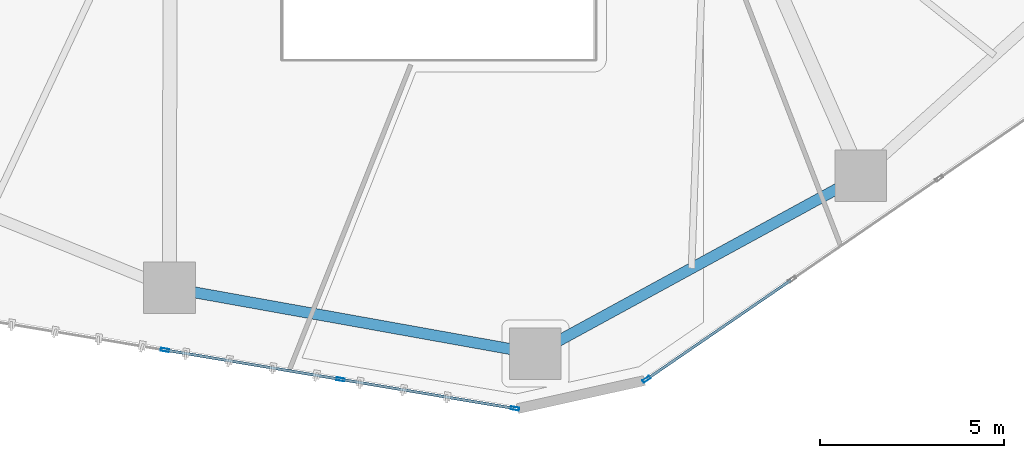
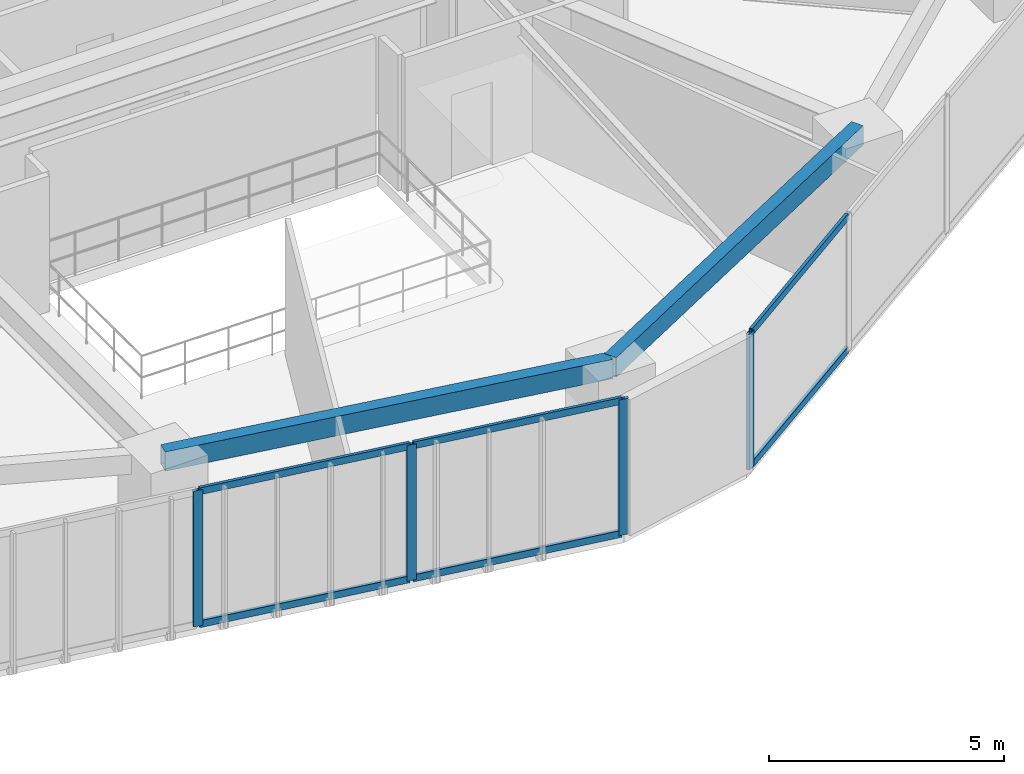
# One storey, part 4 of 21: 10 members, 2 beams, 2 elements without a shape of their own.
"""IFC4 building model written with IfcOpenShell, lengths in metres."""

from ifc_helpers import new_model, si_unit, direction, frame, origin, origin_2d, place, context, subcontext, project, spatial, hollow_rectangle, extrude, source, transform, mapped, material, layer, layer_set, material_profile, profile_set, type_object, type_shapes, element, aggregate, save


model = new_model("IFC4")

# Units and contexts
model_context = context("Model", 3, precision=1e-05, world=origin(), true_north=direction((0.0, 1.0)))
body_context = subcontext(model_context, "Body", "Model", "MODEL_VIEW")
ifc_project = project(units=[si_unit("LENGTHUNIT", "METRE"), si_unit("AREAUNIT", "SQUARE_METRE"), si_unit("VOLUMEUNIT", "CUBIC_METRE"), si_unit("PLANEANGLEUNIT", "RADIAN"), si_unit("MASSUNIT", "GRAM", prefix="KILO")], contexts=[model_context])

# Site, building, storey
site_placement = place(None, origin())
site = spatial("IfcSite", under=ifc_project, at=site_placement, CompositionType="ELEMENT")
building_placement = place(site_placement, origin())
building = spatial("IfcBuilding", under=site, at=building_placement, Name="Talar Marvaseh", CompositionType="ELEMENT")
storey_placement = place(building_placement, frame((0.0, 0.0, 62.0)))
storey = spatial("IfcBuildingStorey", under=building, at=storey_placement, Name="L15", CompositionType="ELEMENT", Elevation=62.0)

# Beams
ifc_material_1 = material(Name="Steel S355", Category="steel")
ifc_material_profile_1 = material_profile(ifc_material_1, hollow_rectangle(XDim=0.300048828125, YDim=0.5, WallThickness=0.02001953125, at=origin_2d()), Name="RHS500x300x20")
ifc_profile_set_1 = profile_set([ifc_material_profile_1], Name="Steel S355")
beam_type = type_object("IfcBeamType", Name="Zone 1 Perimeter Spandrel Beam RHS500x300x20", PredefinedType="SPANDREL", material=ifc_profile_set_1)
beam_1_placement = place(storey_placement, frame((37.468017578125, 16.02099609375, 3.27001953125), z_axis=(-0.877792749602, -0.47904059196, 0.0), x_axis=(0.47904059196, -0.877792749602, 0.0)))
element("IfcBeam", 1, at=beam_1_placement, inside=storey, type_object=beam_type, Name="L15 Zone 1 Perimeter Spandrel Beam RHS500x300x20", PredefinedType="SPANDREL", context=body_context, shape_type="SweptSolid", body=[
    extrude(hollow_rectangle(XDim=0.300048828125, YDim=0.5, WallThickness=0.02001953125, at=origin_2d()), origin(), (0.0, 0.0, 1.0), 10.07421875),
])
beam_2_placement = place(storey_placement, frame((28.625, 11.195068359375, 3.27001953125), z_axis=(-0.984279934962, 0.176615428632, 0.0), x_axis=(-0.176615428632, -0.984279934962, 0.0)))
element("IfcBeam", 2, at=beam_2_placement, inside=storey, type_object=beam_type, Name="L15 Zone 1 Perimeter Spandrel Beam RHS500x300x20", PredefinedType="SPANDREL", context=body_context, shape_type="SweptSolid", body=[
    extrude(hollow_rectangle(XDim=0.300048828125, YDim=0.5, WallThickness=0.02001953125, at=origin_2d()), origin(), (0.0, 0.0, 1.0), 10.1005859375),
])

# Curtain wall, member
ifc_material_2 = material(Name="Architectural Aluminium", Category="aluminium")
ifc_layer = layer(ifc_material_2, 0.219970703125)
ifc_layer_set = layer_set([ifc_layer], Name="Architectural Aluminium")
curtain_wall_type = type_object("IfcCurtainWallType", Name="Unitised Low-E Museum Curtain Wall Z1", PredefinedType="NOTDEFINED", material=ifc_layer_set)
curtain_wall_1_placement = place(storey_placement, origin())
curtain_wall_1 = element("IfcCurtainWall", 3, at=curtain_wall_1_placement, inside=storey, type_object=curtain_wall_type, Name="L15 Unitised Low-E Museum Curtain Wall Z1", PredefinedType="NOTDEFINED")
ifc_material_profile_2 = material_profile(ifc_material_2, hollow_rectangle(XDim=0.080078125, YDim=0.219970703125, WallThickness=0.0048828125, at=origin_2d()), Name="RHS220x80x5")
ifc_profile_set_2 = profile_set([ifc_material_profile_2], Name="Architectural Aluminium")
member_type_1 = type_object("IfcMemberType", Name="Unitised Curtain Wall Heavy Mullion RHS220x80x5", PredefinedType="MULLION", material=ifc_profile_set_2)
shared_shape_1 = source(origin(), body_context, "Body", "SweptSolid", [
    extrude(hollow_rectangle(XDim=0.080078125, YDim=0.219970703125, WallThickness=0.0048828125, at=origin_2d()), origin(), (0.0, 0.0, 1.0), 3.52001953125),
])
type_shapes(member_type_1, [shared_shape_1])
member_1_placement = place(storey_placement, frame((31.642578125, 10.491455078125, 0.0), z_axis=(0.0, 0.0, 1.0), x_axis=(0.566276537013, -0.824215313877, 0.0)))
member_1 = element("IfcMember", 4, at=member_1_placement, type_object=member_type_1, Name="CW-Z1 mullion 6", PredefinedType="MULLION", context=body_context, shape_type="MappedRepresentation", body=[
    mapped(shared_shape_1, transform((0.0, 0.0, 0.0), x_axis=(1.0, 0.0, 0.0), y_axis=(0.0, 1.0, 0.0), z_axis=(0.0, 0.0, 1.0), scale=1.0)),
])

# Curtain wall, members
curtain_wall_2_placement = place(storey_placement, origin())
curtain_wall_2 = element("IfcCurtainWall", 5, at=curtain_wall_2_placement, inside=storey, type_object=curtain_wall_type, Name="L15 Unitised Low-E Museum Curtain Wall Z1", PredefinedType="NOTDEFINED")
member_2_placement = place(storey_placement, frame((28.07421875, 9.7001953125, 0.0), z_axis=(0.0, 0.0, 1.0), x_axis=(-0.164896294876, -0.986310910381, 0.0)))
member_2 = element("IfcMember", 6, at=member_2_placement, type_object=member_type_1, Name="CW-Z1 mullion 1", PredefinedType="MULLION", context=body_context, shape_type="MappedRepresentation", body=[
    mapped(shared_shape_1, transform((0.0, 0.0, 0.0), x_axis=(1.0, 0.0, 0.0), y_axis=(0.0, 1.0, 0.0), z_axis=(0.0, 0.0, 1.0), scale=1.0)),
])
member_3_placement = place(storey_placement, frame((23.33447265625, 10.49267578125, 0.0), z_axis=(0.0, 0.0, 1.0), x_axis=(-0.164896294876, -0.986310910381, 0.0)))
member_3 = element("IfcMember", 7, at=member_3_placement, type_object=member_type_1, Name="CW-Z1 mullion 2", PredefinedType="MULLION", context=body_context, shape_type="MappedRepresentation", body=[
    mapped(shared_shape_1, transform((0.0, 0.0, 0.0), x_axis=(1.0, 0.0, 0.0), y_axis=(0.0, 1.0, 0.0), z_axis=(0.0, 0.0, 1.0), scale=1.0)),
])
member_4_placement = place(storey_placement, frame((18.5556640625, 11.291748046875, 0.0), z_axis=(0.0, 0.0, 1.0), x_axis=(-0.164896294876, -0.986310910381, 0.0)))
member_4 = element("IfcMember", 8, at=member_4_placement, type_object=member_type_1, Name="CW-Z1 mullion 3", PredefinedType="MULLION", context=body_context, shape_type="MappedRepresentation", body=[
    mapped(shared_shape_1, transform((0.0, 0.0, 0.0), x_axis=(1.0, 0.0, 0.0), y_axis=(0.0, 1.0, 0.0), z_axis=(0.0, 0.0, 1.0), scale=1.0)),
])

# Member
ifc_material_profile_3 = material_profile(ifc_material_2, hollow_rectangle(XDim=0.074951171875, YDim=0.179931640625, WallThickness=0.0048828125, at=origin_2d()), Name="RHS180x75x5")
ifc_profile_set_3 = profile_set([ifc_material_profile_3], Name="Architectural Aluminium")
member_type_2 = type_object("IfcMemberType", Name="Unitised Curtain Wall Transom RHS180x75x5", PredefinedType="USERDEFINED", material=ifc_profile_set_3)
shared_shape_2 = source(origin(), body_context, "Body", "SweptSolid", [
    extrude(hollow_rectangle(XDim=0.074951171875, YDim=0.179931640625, WallThickness=0.0048828125, at=origin_2d()), origin(), (0.0, 0.0, 1.0), 4.725341796875),
])
member_5_placement = place(storey_placement, frame((35.5703125, 13.18994140625, 0.03759765625), z_axis=(-0.824227301984, -0.56625908793, 0.0), x_axis=(0.56625908793, -0.824227301984, 0.0)))
member_5 = element("IfcMember", 9, at=member_5_placement, type_object=member_type_2, Name="CW-Z1 transom 5.1", ObjectType="TRANSOM", PredefinedType="USERDEFINED", context=body_context, shape_type="MappedRepresentation", body=[
    mapped(shared_shape_2, transform((0.0, 0.0, 0.0), x_axis=(1.0, 0.0, 0.0), y_axis=(0.0, 1.0, 0.0), z_axis=(0.0, 0.0, 1.0), scale=1.0)),
])

member_6_placement = place(storey_placement, frame((35.5703125, 13.18994140625, 3.482421875), z_axis=(-0.824227301984, -0.56625908793, 0.0), x_axis=(0.56625908793, -0.824227301984, 0.0)))
member_6 = element("IfcMember", 10, at=member_6_placement, type_object=member_type_2, Name="CW-Z1 transom 5.2", ObjectType="TRANSOM", PredefinedType="USERDEFINED", context=body_context, shape_type="MappedRepresentation", body=[
    mapped(shared_shape_2, transform((0.0, 0.0, 0.0), x_axis=(1.0, 0.0, 0.0), y_axis=(0.0, 1.0, 0.0), z_axis=(0.0, 0.0, 1.0), scale=1.0)),
])

aggregate(curtain_wall_1, [member_1, member_5, member_6])

member_7_placement = place(storey_placement, frame((28.03466796875, 9.706787109375, 0.03759765625), z_axis=(-0.986307211308, 0.164918418989, 0.0), x_axis=(-0.164918418989, -0.986307211308, 0.0)))
member_7 = element("IfcMember", 11, at=member_7_placement, type_object=member_type_2, Name="CW-Z1 transom 1.1", ObjectType="TRANSOM", PredefinedType="USERDEFINED", context=body_context, shape_type="MappedRepresentation", body=[
    mapped(shared_shape_2, transform((0.0, 0.0, 0.0), x_axis=(1.0, 0.0, 0.0), y_axis=(0.0, 1.0, 0.0), z_axis=(0.0, 0.0, 1.0), scale=1.0)),
])

member_8_placement = place(storey_placement, frame((28.03466796875, 9.706787109375, 3.482421875), z_axis=(-0.986307211308, 0.164918418989, 0.0), x_axis=(-0.164918418989, -0.986307211308, 0.0)))
member_8 = element("IfcMember", 12, at=member_8_placement, type_object=member_type_2, Name="CW-Z1 transom 1.2", ObjectType="TRANSOM", PredefinedType="USERDEFINED", context=body_context, shape_type="MappedRepresentation", body=[
    mapped(shared_shape_2, transform((0.0, 0.0, 0.0), x_axis=(1.0, 0.0, 0.0), y_axis=(0.0, 1.0, 0.0), z_axis=(0.0, 0.0, 1.0), scale=1.0)),
])

shared_shape_3 = source(origin(), body_context, "Body", "SweptSolid", [
    extrude(hollow_rectangle(XDim=0.074951171875, YDim=0.179931640625, WallThickness=0.0048828125, at=origin_2d()), origin(), (0.0, 0.0, 1.0), 4.765380859375),
])
type_shapes(member_type_2, [shared_shape_2, shared_shape_3])
member_9_placement = place(storey_placement, frame((23.295166015625, 10.499267578125, 0.03759765625), z_axis=(-0.986307942046, 0.164914048693, 0.0), x_axis=(-0.164914048693, -0.986307942046, 0.0)))
member_9 = element("IfcMember", 13, at=member_9_placement, type_object=member_type_2, Name="CW-Z1 transom 2.1", ObjectType="TRANSOM", PredefinedType="USERDEFINED", context=body_context, shape_type="MappedRepresentation", body=[
    mapped(shared_shape_3, transform((0.0, 0.0, 0.0), x_axis=(1.0, 0.0, 0.0), y_axis=(0.0, 1.0, 0.0), z_axis=(0.0, 0.0, 1.0), scale=1.0)),
])

member_10_placement = place(storey_placement, frame((23.295166015625, 10.499267578125, 3.482421875), z_axis=(-0.986307942046, 0.164914048693, 0.0), x_axis=(-0.164914048693, -0.986307942046, 0.0)))
member_10 = element("IfcMember", 14, at=member_10_placement, type_object=member_type_2, Name="CW-Z1 transom 2.2", ObjectType="TRANSOM", PredefinedType="USERDEFINED", context=body_context, shape_type="MappedRepresentation", body=[
    mapped(shared_shape_3, transform((0.0, 0.0, 0.0), x_axis=(1.0, 0.0, 0.0), y_axis=(0.0, 1.0, 0.0), z_axis=(0.0, 0.0, 1.0), scale=1.0)),
])

aggregate(curtain_wall_2, [member_2, member_3, member_4, member_7, member_8, member_9, member_10])

save(model, "model.ifc")
